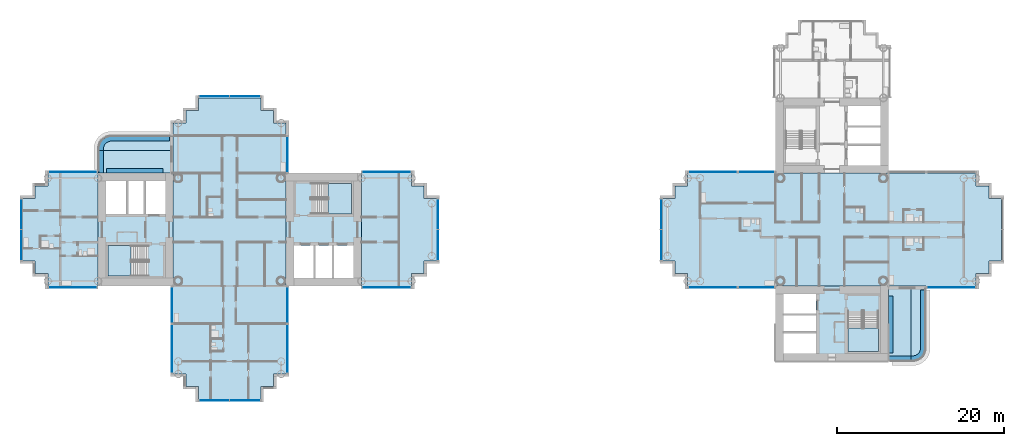
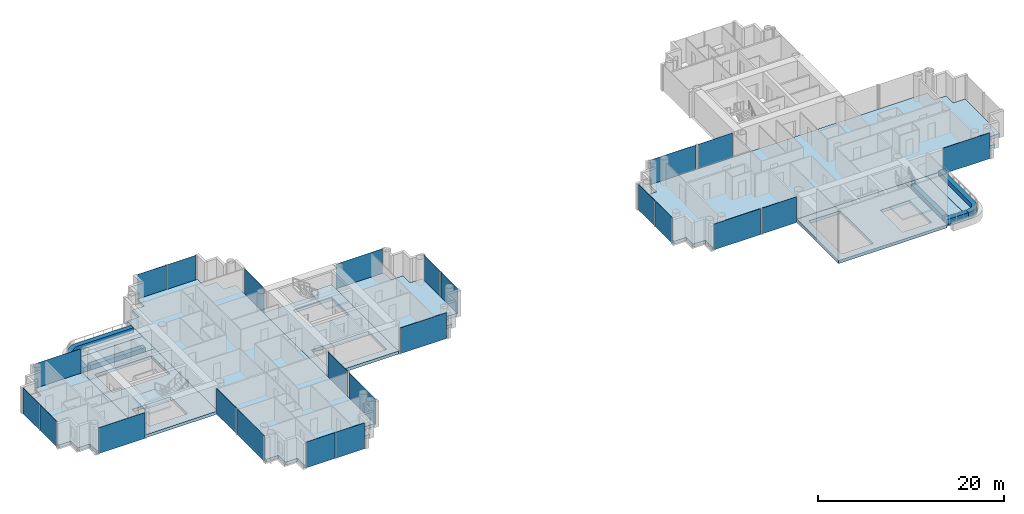
# One storey, part 7 of 22: 24 plates, 20 slabs, 22 elements without a shape of their own.
"""IFC4 building model written with IfcOpenShell, lengths in metres."""

from ifc_helpers import new_model, si_unit, direction, frame, origin, origin_2d, place, context, subcontext, project, spatial, polyline, rectangle, outline, extrude, material, layer, layer_set, type_object, element, aggregate, save


model = new_model("IFC4")

# Units and contexts
model_context = context("Model", 3, precision=1e-05, world=origin(), true_north=direction((0.0, 1.0)))
body_context = subcontext(model_context, "Body", "Model", "MODEL_VIEW")
ifc_project = project(units=[si_unit("LENGTHUNIT", "METRE"), si_unit("AREAUNIT", "SQUARE_METRE"), si_unit("VOLUMEUNIT", "CUBIC_METRE"), si_unit("PLANEANGLEUNIT", "RADIAN"), si_unit("MASSUNIT", "GRAM", prefix="KILO")], contexts=[model_context])

# Site, building, storey
site_placement = place(None, origin())
site = spatial("IfcSite", under=ifc_project, at=site_placement, CompositionType="ELEMENT")
building_placement = place(site_placement, origin())
building = spatial("IfcBuilding", under=site, at=building_placement, Name="Ipe Terrace Towers", CompositionType="ELEMENT")
storey_placement = place(building_placement, frame((0.0, 0.0, 90.199951171875)))
storey = spatial("IfcBuildingStorey", under=building, at=storey_placement, Name="L24", CompositionType="ELEMENT", Elevation=90.199951171875)

# Slabs
ifc_material_1 = material(Name="Concrete C30/37", Category="concrete")
ifc_layer_1 = layer(ifc_material_1, 0.199951171875)
ifc_layer_set_1 = layer_set([ifc_layer_1], Name="BALCONY SLAB 200")
slab_type_1 = type_object("IfcSlabType", Name="BALCONY SLAB 200", PredefinedType="FLOOR", material=ifc_layer_set_1)
slab_1_placement = place(storey_placement, frame((0.0, 0.0, -0.219970703125)))
element("IfcSlab", 1, at=slab_1_placement, inside=storey, type_object=slab_type_1, Name="balcony slab", PredefinedType="FLOOR", context=body_context, shape_type="SweptSolid", body=[
    extrude(outline(polyline([(-51.75, 6.75), (-42.75, 6.75), (-42.75, 9.449951171875), (-51.75, 9.449951171875), (-51.75, 6.75)])), origin(), (0.0, 0.0, 1.0), 0.199951171875),
])
slab_2_placement = place(storey_placement, frame((0.0, 0.0, -0.219970703125)))
element("IfcSlab", 2, at=slab_2_placement, inside=storey, type_object=slab_type_1, Name="balcony slab", PredefinedType="FLOOR", context=body_context, shape_type="SweptSolid", body=[
    extrude(outline(polyline([(-42.75, 11.25), (-50.14990234375, 11.25), (-50.35888671875, 11.236083984375), (-50.56396484375, 11.195068359375), (-50.761962890625, 11.1279296875), (-50.949951171875, 11.035888671875), (-51.1240234375, 10.9189453125), (-51.281005859375, 10.781005859375), (-51.4189453125, 10.6240234375), (-51.535888671875, 10.449951171875), (-51.6279296875, 10.261962890625), (-51.695068359375, 10.06396484375), (-51.736083984375, 9.85888671875), (-51.75, 9.64990234375), (-51.75, 9.449951171875), (-42.75, 9.449951171875), (-42.75, 11.25)])), origin(), (0.0, 0.0, 1.0), 0.199951171875),
])
slab_3_placement = place(storey_placement, frame((0.0, 0.0, -0.219970703125)))
element("IfcSlab", 3, at=slab_3_placement, inside=storey, type_object=slab_type_1, Name="balcony slab", PredefinedType="FLOOR", context=body_context, shape_type="SweptSolid", body=[
    extrude(outline(polyline([(42.75, -15.75), (45.449951171875, -15.75), (45.449951171875, -6.75), (42.75, -6.75), (42.75, -15.75)])), origin(), (0.0, 0.0, 1.0), 0.199951171875),
])
slab_4_placement = place(storey_placement, frame((0.0, 0.0, -0.219970703125)))
element("IfcSlab", 4, at=slab_4_placement, inside=storey, type_object=slab_type_1, Name="balcony slab", PredefinedType="FLOOR", context=body_context, shape_type="SweptSolid", body=[
    extrude(outline(polyline([(47.25, -6.75), (45.449951171875, -6.75), (45.449951171875, -15.75), (45.64990234375, -15.75), (45.85888671875, -15.736083984375), (46.06396484375, -15.695068359375), (46.261962890625, -15.6279296875), (46.449951171875, -15.535888671875), (46.6240234375, -15.4189453125), (46.781005859375, -15.281005859375), (46.9189453125, -15.1240234375), (47.035888671875, -14.949951171875), (47.1279296875, -14.761962890625), (47.195068359375, -14.56396484375), (47.236083984375, -14.35888671875), (47.25, -14.14990234375), (47.25, -6.75)])), origin(), (0.0, 0.0, 1.0), 0.199951171875),
])
ifc_material_2 = material(Name="Concrete C30/37", Category="concrete")
ifc_layer_2 = layer(ifc_material_2, 0.39990234375)
ifc_layer_set_2 = layer_set([ifc_layer_2], Name="CORE FLOOR SLAB 400 C30-37")
slab_type_2 = type_object("IfcSlabType", Name="CORE FLOOR SLAB 400 C30-37", PredefinedType="FLOOR", material=ifc_layer_set_2)
slab_5_placement = place(storey_placement, frame((0.0, 0.0, -0.39990234375)))
element("IfcSlab", 5, at=slab_5_placement, inside=storey, type_object=slab_type_2, Name="Core floor T1-C1", PredefinedType="FLOOR", context=body_context, shape_type="SweptSolid", body=[
    extrude(outline(polyline([(-29.25, -6.75), (-29.25, 6.75), (-20.25, 6.75), (-20.25, -6.75), (-29.25, -6.75)]), holes=[polyline([(-28.300048828125, -5.800048828125), (-21.199951171875, -5.800048828125), (-21.199951171875, -1.89990234375), (-28.300048828125, -1.89990234375), (-28.300048828125, -5.800048828125)]), polyline([(-26.199951171875, 5.550048828125), (-26.199951171875, 1.89990234375), (-21.449951171875, 1.89990234375), (-21.449951171875, 5.550048828125), (-26.199951171875, 5.550048828125)])]), origin(), (0.0, 0.0, 1.0), 0.39990234375),
])
slab_6_placement = place(storey_placement, frame((0.0, 0.0, -0.39990234375)))
element("IfcSlab", 6, at=slab_6_placement, inside=storey, type_object=slab_type_2, Name="Core floor T1-C2", PredefinedType="FLOOR", context=body_context, shape_type="SweptSolid", body=[
    extrude(outline(polyline([(-51.75, -6.75), (-51.75, 6.75), (-42.75, 6.75), (-42.75, -6.75), (-51.75, -6.75)]), holes=[polyline([(-45.800048828125, -5.550048828125), (-45.800048828125, -1.89990234375), (-50.550048828125, -1.89990234375), (-50.550048828125, -5.550048828125), (-45.800048828125, -5.550048828125)]), polyline([(-50.800048828125, 1.89990234375), (-43.699951171875, 1.89990234375), (-43.699951171875, 5.800048828125), (-50.800048828125, 5.800048828125), (-50.800048828125, 1.89990234375)])]), origin(), (0.0, 0.0, 1.0), 0.39990234375),
])
slab_7_placement = place(storey_placement, frame((0.0, 0.0, -0.39990234375)))
element("IfcSlab", 7, at=slab_7_placement, inside=storey, type_object=slab_type_2, Name="Core floor T2-C2", PredefinedType="FLOOR", context=body_context, shape_type="SweptSolid", body=[
    extrude(outline(polyline([(29.25, -15.75), (29.25, -6.75), (42.75, -6.75), (42.75, -15.75), (29.25, -15.75)]), holes=[polyline([(34.10009765625, -14.800048828125), (34.10009765625, -7.699951171875), (30.199951171875, -7.699951171875), (30.199951171875, -14.800048828125), (34.10009765625, -14.800048828125)]), polyline([(41.550048828125, -9.800048828125), (37.89990234375, -9.800048828125), (37.89990234375, -14.550048828125), (41.550048828125, -14.550048828125), (41.550048828125, -9.800048828125)])]), origin(), (0.0, 0.0, 1.0), 0.39990234375),
])

# Stair, slab
ifc_material_3 = material(Name="Concrete C30/37", Category="concrete")
stair_type = type_object("IfcStairType", Name="Protected exit stair", PredefinedType="HALF_TURN_STAIR", material=ifc_material_3)
stair_1_placement = place(storey_placement, origin())
stair_1 = element("IfcStair", 8, at=stair_1_placement, inside=storey, type_object=stair_type, Name="L24 Exit stair T1-C1", PredefinedType="HALF_TURN_STAIR")
ifc_material_4 = material(Name="Concrete C30/37", Category="concrete")
ifc_layer_3 = layer(ifc_material_4, 0.199951171875)
ifc_layer_set_3 = layer_set([ifc_layer_3], Name="Exit stair landing 200")
slab_type_3 = type_object("IfcSlabType", Name="Exit stair landing 200", PredefinedType="LANDING", material=ifc_layer_set_3)
slab_8_placement = place(storey_placement, frame((0.0, 0.0, 1.5)))
slab_8 = element("IfcSlab", 9, at=slab_8_placement, type_object=slab_type_3, Name="T1-ST1 landing 1", PredefinedType="LANDING", context=body_context, shape_type="SweptSolid", body=[
    extrude(outline(polyline([(-24.219970703125, 1.89990234375), (-21.449951171875, 1.89990234375), (-21.449951171875, 5.550048828125), (-24.219970703125, 5.550048828125), (-24.219970703125, 1.89990234375)])), origin(), (0.0, 0.0, 1.0), 0.199951171875),
])
aggregate(stair_1, [slab_8])

stair_2_placement = place(storey_placement, origin())
stair_2 = element("IfcStair", 10, at=stair_2_placement, inside=storey, type_object=stair_type, Name="L24 Exit stair T1-C2", PredefinedType="HALF_TURN_STAIR")
slab_9_placement = place(storey_placement, frame((0.0, 0.0, 1.5)))
slab_9 = element("IfcSlab", 11, at=slab_9_placement, type_object=slab_type_3, Name="T1-ST2 landing 1", PredefinedType="LANDING", context=body_context, shape_type="SweptSolid", body=[
    extrude(outline(polyline([(-47.780029296875, -1.89990234375), (-50.550048828125, -1.89990234375), (-50.550048828125, -5.550048828125), (-47.780029296875, -5.550048828125), (-47.780029296875, -1.89990234375)])), origin(), (0.0, 0.0, 1.0), 0.199951171875),
])
aggregate(stair_2, [slab_9])

stair_3_placement = place(storey_placement, origin())
stair_3 = element("IfcStair", 12, at=stair_3_placement, inside=storey, type_object=stair_type, Name="L24 Exit stair T2-C2", PredefinedType="HALF_TURN_STAIR")
slab_10_placement = place(storey_placement, frame((0.0, 0.0, 1.5)))
slab_10 = element("IfcSlab", 13, at=slab_10_placement, type_object=slab_type_3, Name="T2-ST2 landing 1", PredefinedType="LANDING", context=body_context, shape_type="SweptSolid", body=[
    extrude(outline(polyline([(37.89990234375, -11.780029296875), (37.89990234375, -14.550048828125), (41.550048828125, -14.550048828125), (41.550048828125, -11.780029296875), (37.89990234375, -11.780029296875)])), origin(), (0.0, 0.0, 1.0), 0.199951171875),
])
aggregate(stair_3, [slab_10])

# Slabs
ifc_material_5 = material(Name="Concrete C40/50", Category="concrete")
ifc_layer_4 = layer(ifc_material_5, 0.39990234375)
ifc_layer_set_4 = layer_set([ifc_layer_4], Name="FLAT PLATE SLAB 400 C40-50")
slab_type_4 = type_object("IfcSlabType", Name="FLAT PLATE SLAB 400 C40-50", PredefinedType="FLOOR", material=ifc_layer_set_4)
slab_11_placement = place(storey_placement, frame((0.0, 0.0, -0.39990234375)))
element("IfcSlab", 14, at=slab_11_placement, inside=storey, type_object=slab_type_4, Name="Slab T1-FS-Z21", PredefinedType="FLOOR", context=body_context, shape_type="SweptSolid", body=[
    extrude(outline(polyline([(-30.75, -17.25), (-30.75, -18.75), (-32.25, -18.75), (-32.25, -20.25), (-39.75, -20.25), (-39.75, -18.75), (-41.25, -18.75), (-41.25, -17.25), (-42.75, -17.25), (-42.75, -6.75), (-42.75, 6.75), (-42.75, 12.75), (-41.25, 12.75), (-41.25, 14.25), (-39.75, 14.25), (-39.75, 15.75), (-32.25, 15.75), (-32.25, 14.25), (-30.75, 14.25), (-30.75, 12.75), (-29.25, 12.75), (-29.25, 6.75), (-29.25, -6.75), (-29.25, -17.25), (-30.75, -17.25)])), origin(), (0.0, 0.0, 1.0), 0.39990234375),
])
slab_12_placement = place(storey_placement, frame((0.0, 0.0, -0.39990234375)))
element("IfcSlab", 15, at=slab_12_placement, inside=storey, type_object=slab_type_4, Name="Slab T1-FS-Z22", PredefinedType="FLOOR", context=body_context, shape_type="SweptSolid", body=[
    extrude(outline(polyline([(-57.75, -6.75), (-57.75, -5.25), (-59.25, -5.25), (-59.25, -3.75), (-60.75, -3.75), (-60.75, 3.75), (-59.25, 3.75), (-59.25, 5.25), (-57.75, 5.25), (-57.75, 6.75), (-51.75, 6.75), (-51.75, -6.75), (-57.75, -6.75)])), origin(), (0.0, 0.0, 1.0), 0.39990234375),
])
slab_13_placement = place(storey_placement, frame((0.0, 0.0, -0.39990234375)))
element("IfcSlab", 16, at=slab_13_placement, inside=storey, type_object=slab_type_4, Name="Slab T1-FS-Z23", PredefinedType="FLOOR", context=body_context, shape_type="SweptSolid", body=[
    extrude(outline(polyline([(-14.25, 5.25), (-12.75, 5.25), (-12.75, 3.75), (-11.25, 3.75), (-11.25, -3.75), (-12.75, -3.75), (-12.75, -5.25), (-14.25, -5.25), (-14.25, -6.75), (-20.25, -6.75), (-20.25, 6.75), (-14.25, 6.75), (-14.25, 5.25)])), origin(), (0.0, 0.0, 1.0), 0.39990234375),
])
slab_14_placement = place(storey_placement, frame((0.0, 0.0, -0.39990234375)))
element("IfcSlab", 17, at=slab_14_placement, inside=storey, type_object=slab_type_4, Name="Slab T2-FS-Z21", PredefinedType="FLOOR", context=body_context, shape_type="SweptSolid", body=[
    extrude(outline(polyline([(53.25, 5.25), (54.75, 5.25), (54.75, 3.75), (56.25, 3.75), (56.25, -3.75), (54.75, -3.75), (54.75, -5.25), (53.25, -5.25), (53.25, -6.75), (42.75, -6.75), (29.25, -6.75), (18.75, -6.75), (18.75, -5.25), (17.25, -5.25), (17.25, -3.75), (15.75, -3.75), (15.75, 3.75), (17.25, 3.75), (17.25, 5.25), (18.75, 5.25), (18.75, 6.75), (29.25, 6.75), (42.75, 6.75), (53.25, 6.75), (53.25, 5.25)])), origin(), (0.0, 0.0, 1.0), 0.39990234375),
])
ifc_material_6 = material(Name="Concrete C30/37", Category="concrete")
ifc_layer_5 = layer(ifc_material_6, 0.60009765625)
ifc_layer_set_5 = layer_set([ifc_layer_5], Name="PLANTER TROUGH 550 x 600")
slab_type_5 = type_object("IfcSlabType", Name="PLANTER TROUGH 550 x 600", PredefinedType="USERDEFINED", material=ifc_layer_set_5)
slab_15_placement = place(storey_placement, frame((0.0, 0.0, -0.02001953125)))
element("IfcSlab", 18, at=slab_15_placement, inside=storey, type_object=slab_type_5, Name="planter", ObjectType="PLANTER", PredefinedType="USERDEFINED", context=body_context, shape_type="SweptSolid", body=[
    extrude(outline(polyline([(-51.639892578125, 6.75), (-51.090087890625, 6.75), (-51.090087890625, 9.449951171875), (-51.639892578125, 9.449951171875), (-51.639892578125, 6.75)])), origin(), (0.0, 0.0, 1.0), 0.60009765625),
])
slab_16_placement = place(storey_placement, frame((0.0, 0.0, -0.02001953125)))
element("IfcSlab", 19, at=slab_16_placement, inside=storey, type_object=slab_type_5, Name="planter", ObjectType="PLANTER", PredefinedType="USERDEFINED", context=body_context, shape_type="SweptSolid", body=[
    extrude(outline(polyline([(-51.056884765625, 9.89306640625), (-51.01708984375, 10.009033203125), (-50.962890625, 10.118896484375), (-50.89501953125, 10.220947265625), (-50.81396484375, 10.31396484375), (-50.720947265625, 10.39501953125), (-50.618896484375, 10.462890625), (-50.509033203125, 10.51708984375), (-50.39306640625, 10.556884765625), (-50.27294921875, 10.5810546875), (-50.1279296875, 10.590087890625), (-43.199951171875, 10.590087890625), (-43.199951171875, 11.139892578125), (-50.136962890625, 11.139892578125), (-50.155029296875, 11.138916015625), (-50.325927734375, 11.1279296875), (-50.362060546875, 11.1240234375), (-50.51806640625, 11.093017578125), (-50.552978515625, 11.0830078125), (-50.702880859375, 11.031982421875), (-50.736083984375, 11.01806640625), (-50.87890625, 10.947998046875), (-50.909912109375, 10.929931640625), (-51.0419921875, 10.842041015625), (-51.070068359375, 10.820068359375), (-51.18994140625, 10.715087890625), (-51.215087890625, 10.68994140625), (-51.320068359375, 10.570068359375), (-51.342041015625, 10.5419921875), (-51.429931640625, 10.409912109375), (-51.447998046875, 10.37890625), (-51.51806640625, 10.236083984375), (-51.531982421875, 10.202880859375), (-51.5830078125, 10.052978515625), (-51.593017578125, 10.01806640625), (-51.6240234375, 9.862060546875), (-51.6279296875, 9.825927734375), (-51.638916015625, 9.655029296875), (-51.639892578125, 9.636962890625), (-51.639892578125, 9.449951171875), (-51.090087890625, 9.449951171875), (-51.090087890625, 9.6279296875), (-51.0810546875, 9.77294921875), (-51.056884765625, 9.89306640625)])), origin(), (0.0, 0.0, 1.0), 0.60009765625),
])
slab_17_placement = place(storey_placement, frame((0.0, 0.0, -0.02001953125)))
element("IfcSlab", 20, at=slab_17_placement, inside=storey, type_object=slab_type_5, Name="planter", ObjectType="PLANTER", PredefinedType="USERDEFINED", context=body_context, shape_type="SweptSolid", body=[
    extrude(outline(polyline([(-43.949951171875, 6.75), (-43.949951171875, 7.300048828125), (-50.75, 7.300048828125), (-50.75, 6.75), (-43.949951171875, 6.75)])), origin(), (0.0, 0.0, 1.0), 0.60009765625),
])
slab_18_placement = place(storey_placement, frame((0.0, 0.0, -0.02001953125)))
element("IfcSlab", 21, at=slab_18_placement, inside=storey, type_object=slab_type_5, Name="planter", ObjectType="PLANTER", PredefinedType="USERDEFINED", context=body_context, shape_type="SweptSolid", body=[
    extrude(outline(polyline([(42.75, -15.639892578125), (45.449951171875, -15.639892578125), (45.449951171875, -15.090087890625), (42.75, -15.090087890625), (42.75, -15.639892578125)])), origin(), (0.0, 0.0, 1.0), 0.60009765625),
])
slab_19_placement = place(storey_placement, frame((0.0, 0.0, -0.02001953125)))
element("IfcSlab", 22, at=slab_19_placement, inside=storey, type_object=slab_type_5, Name="planter", ObjectType="PLANTER", PredefinedType="USERDEFINED", context=body_context, shape_type="SweptSolid", body=[
    extrude(outline(polyline([(45.89306640625, -15.056884765625), (45.77294921875, -15.0810546875), (45.6279296875, -15.090087890625), (45.449951171875, -15.090087890625), (45.449951171875, -15.639892578125), (45.636962890625, -15.639892578125), (45.655029296875, -15.638916015625), (45.825927734375, -15.6279296875), (45.862060546875, -15.6240234375), (46.01806640625, -15.593017578125), (46.052978515625, -15.5830078125), (46.202880859375, -15.531982421875), (46.236083984375, -15.51806640625), (46.37890625, -15.447998046875), (46.409912109375, -15.429931640625), (46.5419921875, -15.342041015625), (46.570068359375, -15.320068359375), (46.68994140625, -15.215087890625), (46.715087890625, -15.18994140625), (46.820068359375, -15.070068359375), (46.842041015625, -15.0419921875), (46.929931640625, -14.909912109375), (46.947998046875, -14.87890625), (47.01806640625, -14.736083984375), (47.031982421875, -14.702880859375), (47.0830078125, -14.552978515625), (47.093017578125, -14.51806640625), (47.1240234375, -14.362060546875), (47.1279296875, -14.325927734375), (47.138916015625, -14.155029296875), (47.139892578125, -14.136962890625), (47.139892578125, -7.199951171875), (46.590087890625, -7.199951171875), (46.590087890625, -14.1279296875), (46.5810546875, -14.27294921875), (46.556884765625, -14.39306640625), (46.51708984375, -14.509033203125), (46.462890625, -14.618896484375), (46.39501953125, -14.720947265625), (46.31396484375, -14.81396484375), (46.220947265625, -14.89501953125), (46.118896484375, -14.962890625), (46.009033203125, -15.01708984375), (45.89306640625, -15.056884765625)])), origin(), (0.0, 0.0, 1.0), 0.60009765625),
])
slab_20_placement = place(storey_placement, frame((0.0, 0.0, -0.02001953125)))
element("IfcSlab", 23, at=slab_20_placement, inside=storey, type_object=slab_type_5, Name="planter", ObjectType="PLANTER", PredefinedType="USERDEFINED", context=body_context, shape_type="SweptSolid", body=[
    extrude(outline(polyline([(42.75, -7.949951171875), (42.75, -14.75), (43.300048828125, -14.75), (43.300048828125, -7.949951171875), (42.75, -7.949951171875)])), origin(), (0.0, 0.0, 1.0), 0.60009765625),
])

# Curtain wall, plate
ifc_material_7 = material(Name="Aluminium alloy 6063-T6", Category="aluminium")
ifc_layer_6 = layer(ifc_material_7, 0.320068359375)
ifc_layer_set_6 = layer_set([ifc_layer_6], Name="TOWER UNITISED CURTAIN WALL")
curtain_wall_type = type_object("IfcCurtainWallType", Name="TOWER UNITISED CURTAIN WALL", PredefinedType="NOTDEFINED", material=ifc_layer_set_6)
curtain_wall_1_placement = place(storey_placement, origin())
curtain_wall_1 = element("IfcCurtainWall", 24, at=curtain_wall_1_placement, inside=storey, type_object=curtain_wall_type, Name="T1-CW-L24-04a curtain wall", PredefinedType="NOTDEFINED")
ifc_material_8 = material(Name="Glass, clear laminated", Category="glass")
ifc_layer_7 = layer(ifc_material_8, 0.031982421875)
ifc_layer_set_7 = layer_set([ifc_layer_7], Name="TOWER UNITISED GLASS PANEL 32")
plate_type = type_object("IfcPlateType", Name="TOWER UNITISED GLASS PANEL 32", PredefinedType="CURTAIN_PANEL", material=ifc_layer_set_7)
plate_1_placement = place(storey_placement, frame((-54.75048828125, -6.909912109375, -0.2998046875), z_axis=(0.0, 0.0, 1.0), x_axis=(1.0, 0.0, 0.0)))
plate_1 = element("IfcPlate", 25, at=plate_1_placement, type_object=plate_type, Name="T1-CW-L24-04a panel 1", PredefinedType="CURTAIN_PANEL", context=body_context, shape_type="SweptSolid", body=[
    extrude(rectangle(XDim=5.759033203125, YDim=0.031982421875, at=origin_2d()), origin(), (0.0, 0.0, 1.0), 3.39990234375),
])
aggregate(curtain_wall_1, [plate_1])

curtain_wall_2_placement = place(storey_placement, origin())
curtain_wall_2 = element("IfcCurtainWall", 26, at=curtain_wall_2_placement, inside=storey, type_object=curtain_wall_type, Name="T1-CW-L24-06a curtain wall", PredefinedType="NOTDEFINED")
plate_2_placement = place(storey_placement, frame((-42.909912109375, -9.0, -0.2998046875), z_axis=(0.0, 0.0, 1.0), x_axis=(0.0, -1.0, 0.0)))
plate_2 = element("IfcPlate", 27, at=plate_2_placement, type_object=plate_type, Name="T1-CW-L24-06a panel 1", PredefinedType="CURTAIN_PANEL", context=body_context, shape_type="SweptSolid", body=[
    extrude(rectangle(XDim=4.260009765625, YDim=0.031982421875, at=origin_2d()), origin(), (0.0, 0.0, 1.0), 3.39990234375),
])
aggregate(curtain_wall_2, [plate_2])

curtain_wall_3_placement = place(storey_placement, origin())
curtain_wall_3 = element("IfcCurtainWall", 28, at=curtain_wall_3_placement, inside=storey, type_object=curtain_wall_type, Name="T1-CW-L24-07a curtain wall", PredefinedType="NOTDEFINED")
plate_3_placement = place(storey_placement, frame((-42.909912109375, -14.25, -0.2998046875), z_axis=(0.0, 0.0, 1.0), x_axis=(0.0, -1.0, 0.0)))
plate_3 = element("IfcPlate", 29, at=plate_3_placement, type_object=plate_type, Name="T1-CW-L24-07a panel 1", PredefinedType="CURTAIN_PANEL", context=body_context, shape_type="SweptSolid", body=[
    extrude(rectangle(XDim=5.760009765625, YDim=0.031982421875, at=origin_2d()), origin(), (0.0, 0.0, 1.0), 3.39990234375),
])
aggregate(curtain_wall_3, [plate_3])

# Curtain wall, plates
curtain_wall_4_placement = place(storey_placement, origin())
curtain_wall_4 = element("IfcCurtainWall", 30, at=curtain_wall_4_placement, inside=storey, type_object=curtain_wall_type, Name="T1-CW-L24-12a curtain wall", PredefinedType="NOTDEFINED")
plate_4_placement = place(storey_placement, frame((-37.831298828125, -20.409912109375, -0.2998046875), z_axis=(0.0, 0.0, 1.0), x_axis=(1.0, 0.0, 0.0)))
plate_4 = element("IfcPlate", 31, at=plate_4_placement, type_object=plate_type, Name="T1-CW-L24-12a panel 1", PredefinedType="CURTAIN_PANEL", context=body_context, shape_type="SweptSolid", body=[
    extrude(rectangle(XDim=3.597412109375, YDim=0.031982421875, at=origin_2d()), origin(), (0.0, 0.0, 1.0), 3.39990234375),
])
plate_5_placement = place(storey_placement, frame((-34.168701171875, -20.409912109375, -0.2998046875), z_axis=(0.0, 0.0, 1.0), x_axis=(1.0, 0.0, 0.0)))
plate_5 = element("IfcPlate", 32, at=plate_5_placement, type_object=plate_type, Name="T1-CW-L24-12a panel 2", PredefinedType="CURTAIN_PANEL", context=body_context, shape_type="SweptSolid", body=[
    extrude(rectangle(XDim=3.597412109375, YDim=0.031982421875, at=origin_2d()), origin(), (0.0, 0.0, 1.0), 3.39990234375),
])
aggregate(curtain_wall_4, [plate_4, plate_5])

# Curtain wall, plate
curtain_wall_5_placement = place(storey_placement, origin())
curtain_wall_5 = element("IfcCurtainWall", 33, at=curtain_wall_5_placement, inside=storey, type_object=curtain_wall_type, Name="T1-CW-L24-17a curtain wall", PredefinedType="NOTDEFINED")
plate_6_placement = place(storey_placement, frame((-29.090087890625, -14.25, -0.2998046875), z_axis=(0.0, 0.0, 1.0), x_axis=(0.0, 1.0, 0.0)))
plate_6 = element("IfcPlate", 34, at=plate_6_placement, type_object=plate_type, Name="T1-CW-L24-17a panel 1", PredefinedType="CURTAIN_PANEL", context=body_context, shape_type="SweptSolid", body=[
    extrude(rectangle(XDim=5.760009765625, YDim=0.031982421875, at=origin_2d()), origin(), (0.0, 0.0, 1.0), 3.39990234375),
])
aggregate(curtain_wall_5, [plate_6])

curtain_wall_6_placement = place(storey_placement, origin())
curtain_wall_6 = element("IfcCurtainWall", 35, at=curtain_wall_6_placement, inside=storey, type_object=curtain_wall_type, Name="T1-CW-L24-18a curtain wall", PredefinedType="NOTDEFINED")
plate_7_placement = place(storey_placement, frame((-29.090087890625, -9.0, -0.2998046875), z_axis=(0.0, 0.0, 1.0), x_axis=(0.0, 1.0, 0.0)))
plate_7 = element("IfcPlate", 36, at=plate_7_placement, type_object=plate_type, Name="T1-CW-L24-18a panel 1", PredefinedType="CURTAIN_PANEL", context=body_context, shape_type="SweptSolid", body=[
    extrude(rectangle(XDim=4.260009765625, YDim=0.031982421875, at=origin_2d()), origin(), (0.0, 0.0, 1.0), 3.39990234375),
])
aggregate(curtain_wall_6, [plate_7])

curtain_wall_7_placement = place(storey_placement, origin())
curtain_wall_7 = element("IfcCurtainWall", 37, at=curtain_wall_7_placement, inside=storey, type_object=curtain_wall_type, Name="T1-CW-L24-20b curtain wall", PredefinedType="NOTDEFINED")
plate_8_placement = place(storey_placement, frame((-17.24951171875, -6.909912109375, -0.2998046875), z_axis=(0.0, 0.0, 1.0), x_axis=(1.0, 0.0, 0.0)))
plate_8 = element("IfcPlate", 38, at=plate_8_placement, type_object=plate_type, Name="T1-CW-L24-20b panel 1", PredefinedType="CURTAIN_PANEL", context=body_context, shape_type="SweptSolid", body=[
    extrude(rectangle(XDim=5.759033203125, YDim=0.031982421875, at=origin_2d()), origin(), (0.0, 0.0, 1.0), 3.39990234375),
])
aggregate(curtain_wall_7, [plate_8])

# Curtain wall, plates
curtain_wall_8_placement = place(storey_placement, origin())
curtain_wall_8 = element("IfcCurtainWall", 39, at=curtain_wall_8_placement, inside=storey, type_object=curtain_wall_type, Name="T1-CW-L24-25a curtain wall", PredefinedType="NOTDEFINED")
plate_9_placement = place(storey_placement, frame((-11.090087890625, -1.831298828125, -0.2998046875), z_axis=(0.0, 0.0, 1.0), x_axis=(0.0, 1.0, 0.0)))
plate_9 = element("IfcPlate", 40, at=plate_9_placement, type_object=plate_type, Name="T1-CW-L24-25a panel 1", PredefinedType="CURTAIN_PANEL", context=body_context, shape_type="SweptSolid", body=[
    extrude(rectangle(XDim=3.597412109375, YDim=0.031982421875, at=origin_2d()), origin(), (0.0, 0.0, 1.0), 3.39990234375),
])
plate_10_placement = place(storey_placement, frame((-11.090087890625, 1.831298828125, -0.2998046875), z_axis=(0.0, 0.0, 1.0), x_axis=(0.0, 1.0, 0.0)))
plate_10 = element("IfcPlate", 41, at=plate_10_placement, type_object=plate_type, Name="T1-CW-L24-25a panel 2", PredefinedType="CURTAIN_PANEL", context=body_context, shape_type="SweptSolid", body=[
    extrude(rectangle(XDim=3.597412109375, YDim=0.031982421875, at=origin_2d()), origin(), (0.0, 0.0, 1.0), 3.39990234375),
])
aggregate(curtain_wall_8, [plate_9, plate_10])

# Curtain wall, plate
curtain_wall_9_placement = place(storey_placement, origin())
curtain_wall_9 = element("IfcCurtainWall", 42, at=curtain_wall_9_placement, inside=storey, type_object=curtain_wall_type, Name="T1-CW-L24-30a curtain wall", PredefinedType="NOTDEFINED")
plate_11_placement = place(storey_placement, frame((-17.24951171875, 6.909912109375, -0.2998046875), z_axis=(0.0, 0.0, 1.0), x_axis=(-1.0, 0.0, 0.0)))
plate_11 = element("IfcPlate", 43, at=plate_11_placement, type_object=plate_type, Name="T1-CW-L24-30a panel 1", PredefinedType="CURTAIN_PANEL", context=body_context, shape_type="SweptSolid", body=[
    extrude(rectangle(XDim=5.759033203125, YDim=0.031982421875, at=origin_2d()), origin(), (0.0, 0.0, 1.0), 3.39990234375),
])
aggregate(curtain_wall_9, [plate_11])

curtain_wall_10_placement = place(storey_placement, origin())
curtain_wall_10 = element("IfcCurtainWall", 44, at=curtain_wall_10_placement, inside=storey, type_object=curtain_wall_type, Name="T1-CW-L24-32a curtain wall", PredefinedType="NOTDEFINED")
plate_12_placement = place(storey_placement, frame((-29.090087890625, 9.0, -0.2998046875), z_axis=(0.0, 0.0, 1.0), x_axis=(0.0, 1.0, 0.0)))
plate_12 = element("IfcPlate", 45, at=plate_12_placement, type_object=plate_type, Name="T1-CW-L24-32a panel 1", PredefinedType="CURTAIN_PANEL", context=body_context, shape_type="SweptSolid", body=[
    extrude(rectangle(XDim=4.260009765625, YDim=0.031982421875, at=origin_2d()), origin(), (0.0, 0.0, 1.0), 3.39990234375),
])
aggregate(curtain_wall_10, [plate_12])

# Curtain wall, plates
curtain_wall_11_placement = place(storey_placement, origin())
curtain_wall_11 = element("IfcCurtainWall", 46, at=curtain_wall_11_placement, inside=storey, type_object=curtain_wall_type, Name="T1-CW-L24-38a curtain wall", PredefinedType="NOTDEFINED")
plate_13_placement = place(storey_placement, frame((-34.168701171875, 15.909912109375, -0.2998046875), z_axis=(0.0, 0.0, 1.0), x_axis=(-1.0, 0.0, 0.0)))
plate_13 = element("IfcPlate", 47, at=plate_13_placement, type_object=plate_type, Name="T1-CW-L24-38a panel 1", PredefinedType="CURTAIN_PANEL", context=body_context, shape_type="SweptSolid", body=[
    extrude(rectangle(XDim=3.597412109375, YDim=0.031982421875, at=origin_2d()), origin(), (0.0, 0.0, 1.0), 3.39990234375),
])
plate_14_placement = place(storey_placement, frame((-37.831298828125, 15.909912109375, -0.2998046875), z_axis=(0.0, 0.0, 1.0), x_axis=(-1.0, 0.0, 0.0)))
plate_14 = element("IfcPlate", 48, at=plate_14_placement, type_object=plate_type, Name="T1-CW-L24-38a panel 2", PredefinedType="CURTAIN_PANEL", context=body_context, shape_type="SweptSolid", body=[
    extrude(rectangle(XDim=3.597412109375, YDim=0.031982421875, at=origin_2d()), origin(), (0.0, 0.0, 1.0), 3.39990234375),
])
aggregate(curtain_wall_11, [plate_13, plate_14])

# Curtain wall, plate
curtain_wall_12_placement = place(storey_placement, origin())
curtain_wall_12 = element("IfcCurtainWall", 49, at=curtain_wall_12_placement, inside=storey, type_object=curtain_wall_type, Name="T1-CW-L24-46b curtain wall", PredefinedType="NOTDEFINED")
plate_15_placement = place(storey_placement, frame((-54.75048828125, 6.909912109375, -0.2998046875), z_axis=(0.0, 0.0, 1.0), x_axis=(-1.0, 0.0, 0.0)))
plate_15 = element("IfcPlate", 50, at=plate_15_placement, type_object=plate_type, Name="T1-CW-L24-46b panel 1", PredefinedType="CURTAIN_PANEL", context=body_context, shape_type="SweptSolid", body=[
    extrude(rectangle(XDim=5.759033203125, YDim=0.031982421875, at=origin_2d()), origin(), (0.0, 0.0, 1.0), 3.39990234375),
])
aggregate(curtain_wall_12, [plate_15])

# Curtain wall, plates
curtain_wall_13_placement = place(storey_placement, origin())
curtain_wall_13 = element("IfcCurtainWall", 51, at=curtain_wall_13_placement, inside=storey, type_object=curtain_wall_type, Name="T1-CW-L24-51a curtain wall", PredefinedType="NOTDEFINED")
plate_16_placement = place(storey_placement, frame((-60.909912109375, 1.831298828125, -0.2998046875), z_axis=(0.0, 0.0, 1.0), x_axis=(0.0, -1.0, 0.0)))
plate_16 = element("IfcPlate", 52, at=plate_16_placement, type_object=plate_type, Name="T1-CW-L24-51a panel 1", PredefinedType="CURTAIN_PANEL", context=body_context, shape_type="SweptSolid", body=[
    extrude(rectangle(XDim=3.597412109375, YDim=0.031982421875, at=origin_2d()), origin(), (0.0, 0.0, 1.0), 3.39990234375),
])
plate_17_placement = place(storey_placement, frame((-60.909912109375, -1.831298828125, -0.2998046875), z_axis=(0.0, 0.0, 1.0), x_axis=(0.0, -1.0, 0.0)))
plate_17 = element("IfcPlate", 53, at=plate_17_placement, type_object=plate_type, Name="T1-CW-L24-51a panel 2", PredefinedType="CURTAIN_PANEL", context=body_context, shape_type="SweptSolid", body=[
    extrude(rectangle(XDim=3.597412109375, YDim=0.031982421875, at=origin_2d()), origin(), (0.0, 0.0, 1.0), 3.39990234375),
])
aggregate(curtain_wall_13, [plate_16, plate_17])

# Curtain wall, plate
curtain_wall_14_placement = place(storey_placement, origin())
curtain_wall_14 = element("IfcCurtainWall", 54, at=curtain_wall_14_placement, inside=storey, type_object=curtain_wall_type, Name="T2-CW-L24-03a curtain wall", PredefinedType="NOTDEFINED")
plate_18_placement = place(storey_placement, frame((50.25, -6.909912109375, -0.2998046875), z_axis=(0.0, 0.0, 1.0), x_axis=(1.0, 0.0, 0.0)))
plate_18 = element("IfcPlate", 55, at=plate_18_placement, type_object=plate_type, Name="T2-CW-L24-03a panel 1", PredefinedType="CURTAIN_PANEL", context=body_context, shape_type="SweptSolid", body=[
    extrude(rectangle(XDim=5.760009765625, YDim=0.031982421875, at=origin_2d()), origin(), (0.0, 0.0, 1.0), 3.39990234375),
])
aggregate(curtain_wall_14, [plate_18])

curtain_wall_15_placement = place(storey_placement, origin())
curtain_wall_15 = element("IfcCurtainWall", 56, at=curtain_wall_15_placement, inside=storey, type_object=curtain_wall_type, Name="T2-CW-L24-28a curtain wall", PredefinedType="NOTDEFINED")
plate_19_placement = place(storey_placement, frame((27.0, 6.909912109375, -0.2998046875), z_axis=(0.0, 0.0, 1.0), x_axis=(-1.0, 0.0, 0.0)))
plate_19 = element("IfcPlate", 57, at=plate_19_placement, type_object=plate_type, Name="T2-CW-L24-28a panel 1", PredefinedType="CURTAIN_PANEL", context=body_context, shape_type="SweptSolid", body=[
    extrude(rectangle(XDim=4.260009765625, YDim=0.031982421875, at=origin_2d()), origin(), (0.0, 0.0, 1.0), 3.39990234375),
])
aggregate(curtain_wall_15, [plate_19])

curtain_wall_16_placement = place(storey_placement, origin())
curtain_wall_16 = element("IfcCurtainWall", 58, at=curtain_wall_16_placement, inside=storey, type_object=curtain_wall_type, Name="T2-CW-L24-29a curtain wall", PredefinedType="NOTDEFINED")
plate_20_placement = place(storey_placement, frame((21.75, 6.909912109375, -0.2998046875), z_axis=(0.0, 0.0, 1.0), x_axis=(-1.0, 0.0, 0.0)))
plate_20 = element("IfcPlate", 59, at=plate_20_placement, type_object=plate_type, Name="T2-CW-L24-29a panel 1", PredefinedType="CURTAIN_PANEL", context=body_context, shape_type="SweptSolid", body=[
    extrude(rectangle(XDim=5.760009765625, YDim=0.031982421875, at=origin_2d()), origin(), (0.0, 0.0, 1.0), 3.39990234375),
])
aggregate(curtain_wall_16, [plate_20])

# Curtain wall, plates
curtain_wall_17_placement = place(storey_placement, origin())
curtain_wall_17 = element("IfcCurtainWall", 60, at=curtain_wall_17_placement, inside=storey, type_object=curtain_wall_type, Name="T2-CW-L24-34a curtain wall", PredefinedType="NOTDEFINED")
plate_21_placement = place(storey_placement, frame((15.590087890625, 1.831298828125, -0.2998046875), z_axis=(0.0, 0.0, 1.0), x_axis=(0.0, -1.0, 0.0)))
plate_21 = element("IfcPlate", 61, at=plate_21_placement, type_object=plate_type, Name="T2-CW-L24-34a panel 1", PredefinedType="CURTAIN_PANEL", context=body_context, shape_type="SweptSolid", body=[
    extrude(rectangle(XDim=3.597412109375, YDim=0.031982421875, at=origin_2d()), origin(), (0.0, 0.0, 1.0), 3.39990234375),
])
plate_22_placement = place(storey_placement, frame((15.590087890625, -1.831298828125, -0.2998046875), z_axis=(0.0, 0.0, 1.0), x_axis=(0.0, -1.0, 0.0)))
plate_22 = element("IfcPlate", 62, at=plate_22_placement, type_object=plate_type, Name="T2-CW-L24-34a panel 2", PredefinedType="CURTAIN_PANEL", context=body_context, shape_type="SweptSolid", body=[
    extrude(rectangle(XDim=3.597412109375, YDim=0.031982421875, at=origin_2d()), origin(), (0.0, 0.0, 1.0), 3.39990234375),
])
aggregate(curtain_wall_17, [plate_21, plate_22])

# Curtain wall, plate
curtain_wall_18_placement = place(storey_placement, origin())
curtain_wall_18 = element("IfcCurtainWall", 63, at=curtain_wall_18_placement, inside=storey, type_object=curtain_wall_type, Name="T2-CW-L24-39a curtain wall", PredefinedType="NOTDEFINED")
plate_23_placement = place(storey_placement, frame((21.75, -6.909912109375, -0.2998046875), z_axis=(0.0, 0.0, 1.0), x_axis=(1.0, 0.0, 0.0)))
plate_23 = element("IfcPlate", 64, at=plate_23_placement, type_object=plate_type, Name="T2-CW-L24-39a panel 1", PredefinedType="CURTAIN_PANEL", context=body_context, shape_type="SweptSolid", body=[
    extrude(rectangle(XDim=5.760009765625, YDim=0.031982421875, at=origin_2d()), origin(), (0.0, 0.0, 1.0), 3.39990234375),
])
aggregate(curtain_wall_18, [plate_23])

curtain_wall_19_placement = place(storey_placement, origin())
curtain_wall_19 = element("IfcCurtainWall", 65, at=curtain_wall_19_placement, inside=storey, type_object=curtain_wall_type, Name="T2-CW-L24-40a curtain wall", PredefinedType="NOTDEFINED")
plate_24_placement = place(storey_placement, frame((27.0, -6.909912109375, -0.2998046875), z_axis=(0.0, 0.0, 1.0), x_axis=(1.0, 0.0, 0.0)))
plate_24 = element("IfcPlate", 66, at=plate_24_placement, type_object=plate_type, Name="T2-CW-L24-40a panel 1", PredefinedType="CURTAIN_PANEL", context=body_context, shape_type="SweptSolid", body=[
    extrude(rectangle(XDim=4.260009765625, YDim=0.031982421875, at=origin_2d()), origin(), (0.0, 0.0, 1.0), 3.39990234375),
])
aggregate(curtain_wall_19, [plate_24])

save(model, "model.ifc")
